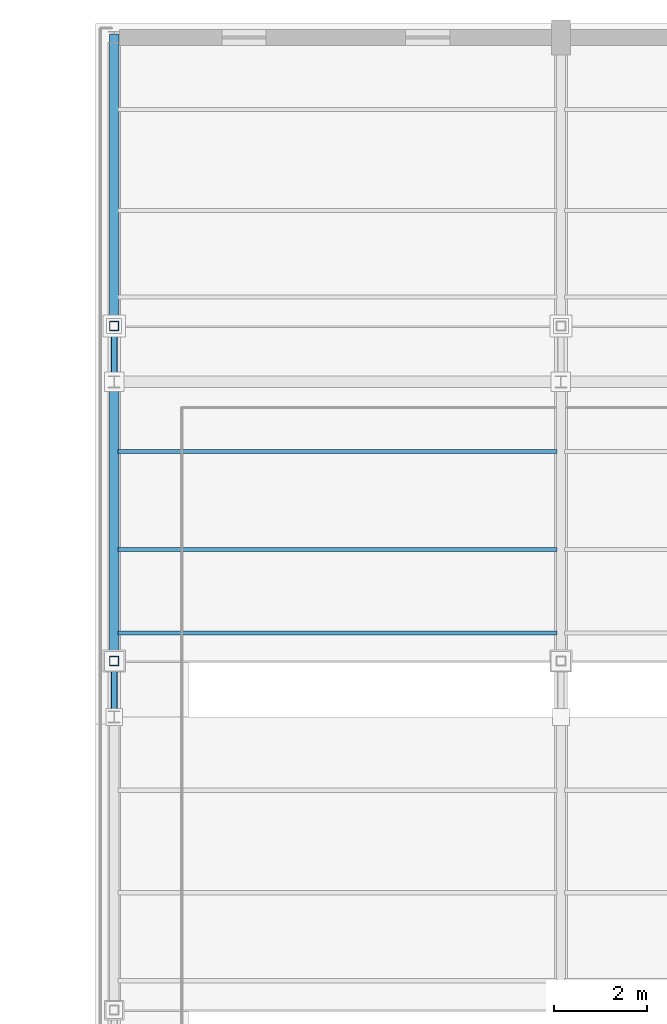
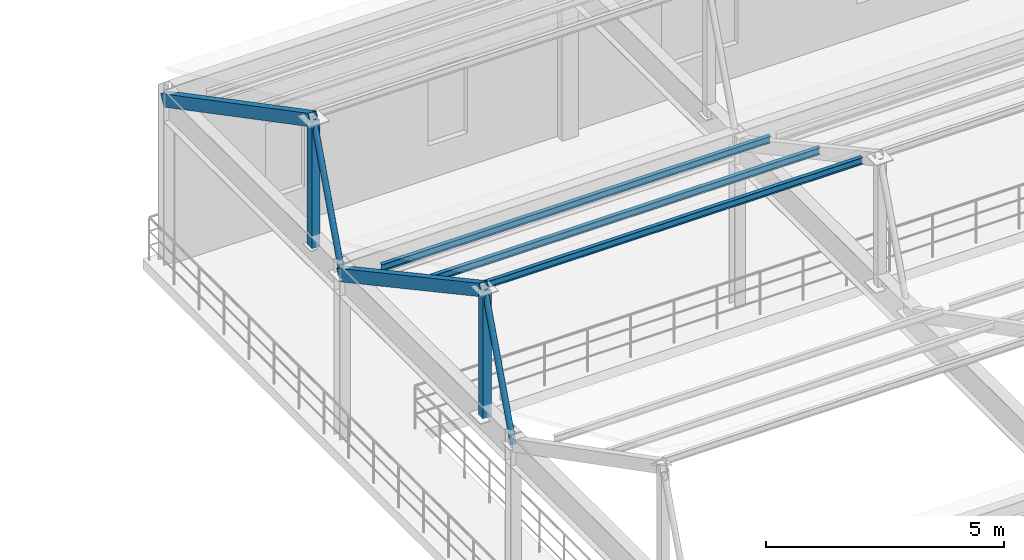
# One storey, part 56 of 112: 9 members.
"""IFC4 building model written with IfcOpenShell, lengths in metres."""

from ifc_helpers import new_model, si_unit, direction, frame, origin, origin_2d, place, context, subcontext, project, spatial, hollow_rectangle, hollow_circle, i_section, extrude, material, material_profile, profile_set, type_object, element, save


model = new_model("IFC4")

# Units and contexts
model_context = context("Model", 3, precision=1e-05, world=origin(), true_north=direction((0.0, 1.0)))
body_context = subcontext(model_context, "Body", "Model", "MODEL_VIEW")
ifc_project = project(units=[si_unit("LENGTHUNIT", "METRE"), si_unit("AREAUNIT", "SQUARE_METRE"), si_unit("VOLUMEUNIT", "CUBIC_METRE"), si_unit("PLANEANGLEUNIT", "RADIAN"), si_unit("MASSUNIT", "GRAM", prefix="KILO")], contexts=[model_context])

# Site, building, storey
site_placement = place(None, origin())
site = spatial("IfcSite", under=ifc_project, at=site_placement, CompositionType="ELEMENT")
building_placement = place(site_placement, origin())
building = spatial("IfcBuilding", under=site, at=building_placement, Name="Cinderbank Siding Concert Hall", CompositionType="ELEMENT")
storey_placement = place(building_placement, frame((0.0, 0.0, 10.199951171875)))
storey = spatial("IfcBuildingStorey", under=building, at=storey_placement, Name="L03", CompositionType="ELEMENT", Elevation=10.199951171875)

# Members
ifc_material_1 = material(Name="Structural steel hollow section AS/NZS 1163 Grade C350L0 (350 MPa)", Category="steel")
ifc_material_profile_1 = material_profile(ifc_material_1, hollow_circle(Radius=0.06982421875, WallThickness=0.00634765625, at=origin_2d()), Name="139.7x6.4CHS", Category="LoadBearing")
ifc_profile_set_1 = profile_set([ifc_material_profile_1], Name="Structural steel hollow section AS/NZS 1163 Grade C350L0 (350 MPa)")
member_type_1 = type_object("IfcMemberType", Name="BR-CHS139 139.7x6.4CHS Roof Truss", PredefinedType="BRACE", material=ifc_profile_set_1)
for number, where, z_axis, x_axis, name in (
    (1, (118.39990234375, 103.300048828125, 4.150146484375), (0.0, 0.346361679598, 0.938101053675), (-1.0, 0.0, 0.0), "L03 Diagonal Brace BR-CHS139 #V3DG-BR-CHS139-L03-2446"),
    (2, (118.39990234375, 110.5, 4.150146484375), (0.0, 0.346361679598, 0.938101053675), (-1.0, 0.0, 0.0), "L03 Diagonal Brace BR-CHS139 #V3DG-BR-CHS139-L03-2449"),
):
    element("IfcMember", number, at=place(storey_placement, frame(where, z_axis=z_axis, x_axis=x_axis)), inside=storey, type_object=member_type_1, Name=name, PredefinedType="BRACE", context=body_context, shape_type="SweptSolid", body=[
        extrude(hollow_circle(Radius=0.06982421875, WallThickness=0.00634765625, at=origin_2d()), origin(), (0.0, 0.0, 1.0), 3.46435546875),
    ])
ifc_material_profile_2 = material_profile(ifc_material_1, hollow_rectangle(XDim=0.199951171875, YDim=0.199951171875, WallThickness=0.009033203125, at=origin_2d()), Name="200x200x9.0SHS", Category="LoadBearing")
ifc_profile_set_2 = profile_set([ifc_material_profile_2], Name="Structural steel hollow section AS/NZS 1163 Grade C350L0 (350 MPa)")
member_type_2 = type_object("IfcMemberType", Name="BR-SHS200 200x200x9.0SHS Roof Truss", PredefinedType="BRACE", material=ifc_profile_set_2)
for number, where, z_axis, x_axis, name in (
    (3, (118.39990234375, 104.5, 4.150146484375), (0.0, 0.0, 1.0), (1.0, 0.0, 0.0), "L03 Diagonal Brace BR-SHS200 #V3ST-BR-SHS200-L03-2445"),
    (4, (118.39990234375, 111.699951171875, 4.150146484375), (0.0, 0.0, 1.0), (1.0, 0.0, 0.0), "L03 Diagonal Brace BR-SHS200 #V3ST-BR-SHS200-L03-2448"),
):
    element("IfcMember", number, at=place(storey_placement, frame(where, z_axis=z_axis, x_axis=x_axis)), inside=storey, type_object=member_type_2, Name=name, PredefinedType="BRACE", context=body_context, shape_type="SweptSolid", body=[
        extrude(hollow_rectangle(XDim=0.199951171875, YDim=0.199951171875, WallThickness=0.009033203125, at=origin_2d()), origin(), (0.0, 0.0, 1.0), 3.25),
    ])
ifc_material_2 = material(Name="Structural steel AS/NZS 3679.1 Grade 350 (340 MPa)", Category="steel")
ifc_material_profile_3 = material_profile(ifc_material_2, i_section(OverallWidth=0.090087890625, OverallDepth=0.175048828125, WebThickness=0.0048828125, FlangeThickness=0.008056640625, at=origin_2d()), Name="180UB18.1", Category="LoadBearing")
ifc_profile_set_3 = profile_set([ifc_material_profile_3], Name="Structural steel AS/NZS 3679.1 Grade 350 (340 MPa)")
member_type_3 = type_object("IfcMemberType", Name="PR-UB180 180UB18.1 Roof Truss", PredefinedType="PURLIN", material=ifc_profile_set_3)
for number, where, z_axis, x_axis, name in (
    (5, (118.47998046875, 109.0, 5.199951171875), (1.0, 0.0, 0.0), (0.0, 1.0, 0.0), "L03 Roof Truss Member PR-UB180 #2492"),
    (6, (118.47998046875, 106.89990234375, 6.179931640625), (1.0, 0.0, 0.0), (0.0, 1.0, 0.0), "L03 Roof Truss Member PR-UB180 #2493"),
    (7, (118.47998046875, 105.10009765625, 7.02001953125), (1.0, 0.0, 0.0), (0.0, 1.0, 0.0), "L03 Roof Truss Member PR-UB180 #2494"),
):
    element("IfcMember", number, at=place(storey_placement, frame(where, z_axis=z_axis, x_axis=x_axis)), inside=storey, type_object=member_type_3, Name=name, PredefinedType="PURLIN", context=body_context, shape_type="SweptSolid", body=[
        extrude(i_section(OverallWidth=0.090087890625, OverallDepth=0.175048828125, WebThickness=0.0048828125, FlangeThickness=0.008056640625, at=origin_2d()), origin(), (0.0, 0.0, 1.0), 9.43994140625),
    ])
ifc_material_profile_4 = material_profile(ifc_material_1, hollow_rectangle(XDim=0.199951171875, YDim=0.300048828125, WallThickness=0.010009765625, at=origin_2d()), Name="300x200x10.0RHS", Category="LoadBearing")
ifc_profile_set_4 = profile_set([ifc_material_profile_4], Name="Structural steel hollow section AS/NZS 1163 Grade C350L0 (350 MPa)")
member_type_4 = type_object("IfcMemberType", Name="TR-RHS300 300x200x10.0RHS Roof Truss", PredefinedType="RAFTER", material=ifc_profile_set_4)
member_1_placement = place(storey_placement, frame((118.39990234375, 110.5, 4.150146484375), z_axis=(0.0, -0.879291966537, 0.476283148541), x_axis=(1.0, 0.0, 0.0)))
element("IfcMember", 8, at=member_1_placement, inside=storey, type_object=member_type_4, Name="L03 Roof Truss Member TR-RHS300 #2444", PredefinedType="RAFTER", context=body_context, shape_type="SweptSolid", body=[
    extrude(hollow_rectangle(XDim=0.199951171875, YDim=0.300048828125, WallThickness=0.010009765625, at=origin_2d()), origin(), (0.0, 0.0, 1.0), 6.82373046875),
])
member_2_placement = place(storey_placement, frame((118.39990234375, 117.89990234375, 4.150146484375), z_axis=(0.0, -0.885690188292, 0.464276738986), x_axis=(1.0, 0.0, 0.0)))
element("IfcMember", 9, at=member_2_placement, inside=storey, type_object=member_type_4, Name="L03 Roof Truss Member TR-RHS300 #2447", PredefinedType="RAFTER", context=body_context, shape_type="SweptSolid", body=[
    extrude(hollow_rectangle(XDim=0.199951171875, YDim=0.300048828125, WallThickness=0.010009765625, at=origin_2d()), origin(), (0.0, 0.0, 1.0), 7.000244140625),
])

save(model, "model.ifc")
